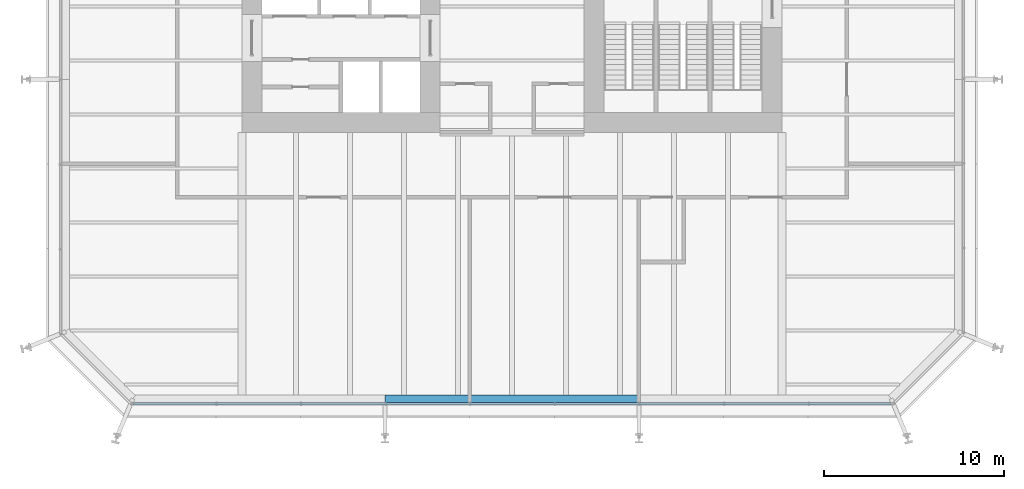
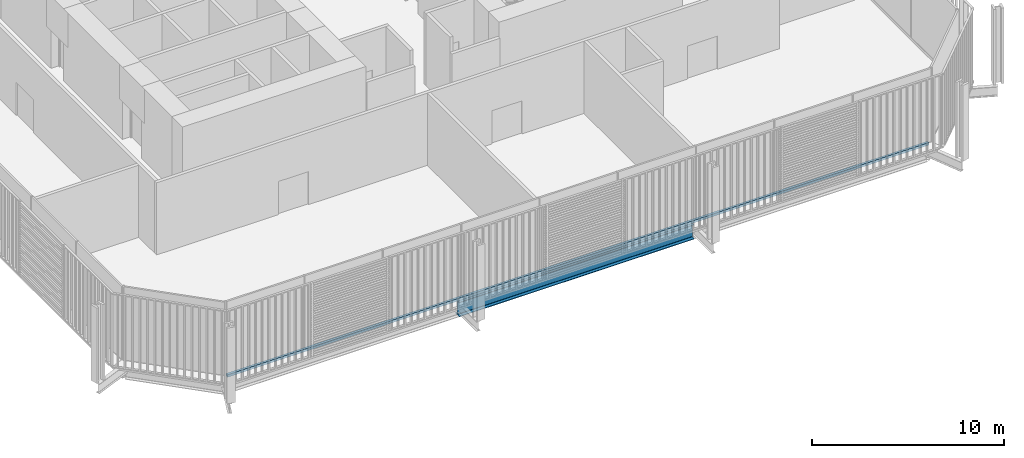
# One storey, part 3 of 22: 1 beam, 1 member, 1 element without a shape of its own.
"""IFC4 building model written with IfcOpenShell, lengths in metres."""

from ifc_helpers import new_model, si_unit, direction, frame, origin, origin_2d, place, context, subcontext, project, spatial, rectangle, i_section, extrude, material, layer, layer_set, material_profile, profile_set, type_object, element, aggregate, save


model = new_model("IFC4")

# Units and contexts
model_context = context("Model", 3, precision=1e-05, world=origin(), true_north=direction((0.0, 1.0)))
body_context = subcontext(model_context, "Body", "Model", "MODEL_VIEW")
ifc_project = project(units=[si_unit("LENGTHUNIT", "METRE"), si_unit("AREAUNIT", "SQUARE_METRE"), si_unit("VOLUMEUNIT", "CUBIC_METRE"), si_unit("PLANEANGLEUNIT", "RADIAN"), si_unit("MASSUNIT", "GRAM", prefix="KILO")], contexts=[model_context])

# Site, building, storey
site_placement = place(None, origin())
site = spatial("IfcSite", under=ifc_project, at=site_placement, CompositionType="ELEMENT")
building_placement = place(site_placement, origin())
building = spatial("IfcBuilding", under=site, at=building_placement, Name="Millrace Tower", CompositionType="ELEMENT")
storey_placement = place(building_placement, frame((0.0, 0.0, 40.10009765625)))
storey = spatial("IfcBuildingStorey", under=building, at=storey_placement, Name="L09", CompositionType="ELEMENT", Elevation=40.10009765625)

# Curtain wall, member
ifc_material_1 = material(Name="Aluminium and glass", Category="aluminium")
ifc_layer = layer(ifc_material_1, 0.14990234375)
ifc_layer_set = layer_set([ifc_layer], Name="Aluminium and glass")
curtain_wall_type = type_object("IfcCurtainWallType", Name="CW-2 data hall insulated curtain wall", PredefinedType="NOTDEFINED", material=ifc_layer_set)
curtain_wall_placement = place(storey_placement, origin())
curtain_wall = element("IfcCurtainWall", 1, at=curtain_wall_placement, inside=storey, type_object=curtain_wall_type, Name="Curtain wall A-F02 L09", PredefinedType="NOTDEFINED")
ifc_material_2 = material(Name="Aluminium", Category="aluminium")
ifc_material_profile_1 = material_profile(ifc_material_2, rectangle(XDim=0.14990234375, YDim=0.159912109375, at=origin_2d()))
ifc_profile_set_1 = profile_set([ifc_material_profile_1], Name="Aluminium")
member_type = type_object("IfcMemberType", Name="CW-2 data hall insulated curtain wall transom", PredefinedType="USERDEFINED", material=ifc_profile_set_1)
member_placement = place(storey_placement, frame((-21.050048828125, -25.074951171875, 0.079833984375), z_axis=(1.0, 0.0, 0.0), x_axis=(0.0, 1.0, 0.0)))
member = element("IfcMember", 2, at=member_placement, type_object=member_type, Name="CW2 transom A-F02.1", ObjectType="TRANSOM", PredefinedType="USERDEFINED", context=body_context, shape_type="SweptSolid", body=[
    extrude(rectangle(XDim=0.14990234375, YDim=0.159912109375, at=origin_2d()), origin(), (0.0, 0.0, 1.0), 42.10009765625),
])
aggregate(curtain_wall, [member])

# Beam
ifc_material_3 = material(Name="Steel ASTM A992 Grade 50", Category="steel")
ifc_material_profile_2 = material_profile(ifc_material_3, i_section(OverallWidth=0.421630859375, OverallDepth=0.937255859375, WebThickness=0.021240234375, FlangeThickness=0.03662109375, FilletRadius=0.024169921875, at=origin_2d()))
ifc_profile_set_2 = profile_set([ifc_material_profile_2], Name="Steel ASTM A992 Grade 50")
beam_type = type_object("IfcBeamType", Name="Ring beam medium span W36x262", PredefinedType="SPANDREL", material=ifc_profile_set_2)
beam_placement = place(storey_placement, frame((7.050048828125, -24.7890625, -0.69384765625), z_axis=(-1.0, 0.0, 0.0), x_axis=(0.0, -1.0, 0.0)))
element("IfcBeam", 3, at=beam_placement, inside=storey, type_object=beam_type, Name="RNG-A-L09-S1-14", PredefinedType="SPANDREL", context=body_context, shape_type="SweptSolid", body=[
    extrude(i_section(OverallWidth=0.421630859375, OverallDepth=0.937255859375, WebThickness=0.021240234375, FlangeThickness=0.03662109375, FilletRadius=0.024169921875, at=origin_2d()), origin(), (0.0, 0.0, 1.0), 14.10009765625),
])

save(model, "model.ifc")
